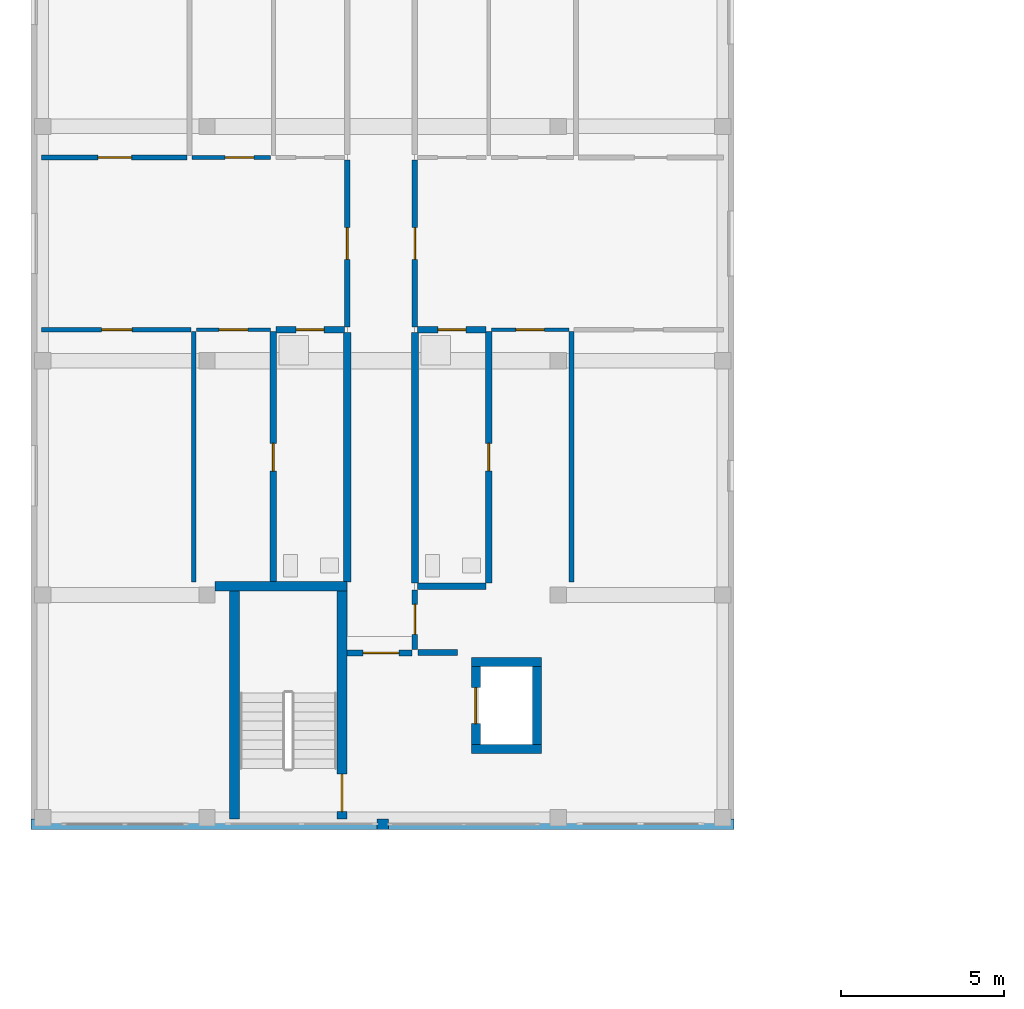
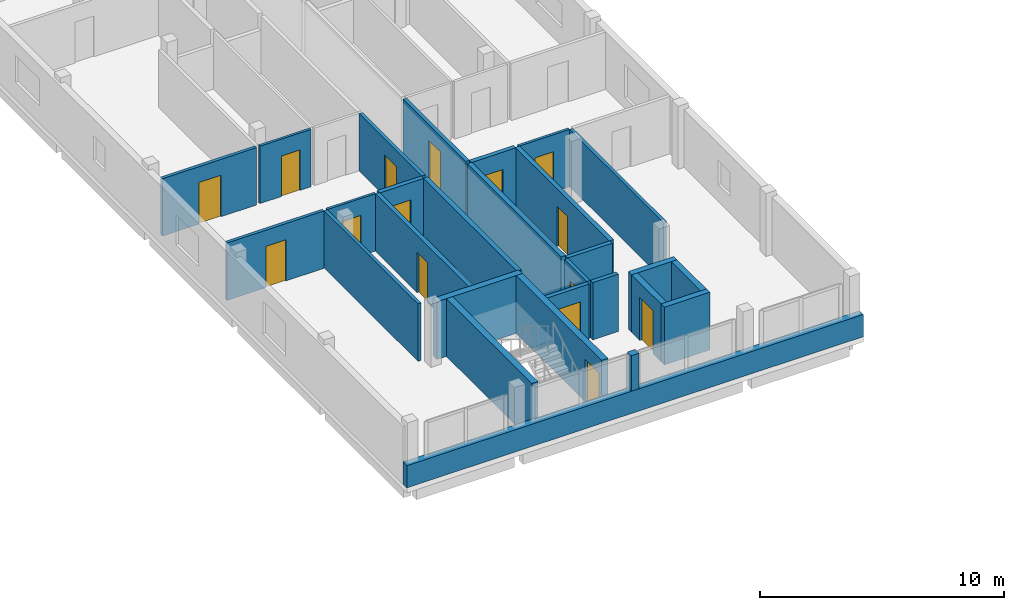
# One storey, part 11 of 28: 28 walls, 15 doors, 15 openings.
"""IFC4 building model written with IfcOpenShell, lengths in metres."""

from ifc_helpers import new_model, si_unit, derived_unit, direction, frame, frame_2d, origin, place, context, subcontext, project, spatial, rectangle, extrude, material, layer, layer_set, type_object, element, fill, save


model = new_model("IFC4")

# Units and contexts
model_context = context("Model", 3, precision=1e-05, world=origin(), true_north=direction((0.0, 1.0)))
body_context = subcontext(model_context, "Body", "Model", "MODEL_VIEW")
ifc_project = project(units=[si_unit("LENGTHUNIT", "METRE"), si_unit("AREAUNIT", "SQUARE_METRE"), si_unit("VOLUMEUNIT", "CUBIC_METRE"), si_unit("PLANEANGLEUNIT", "RADIAN"), si_unit("MASSUNIT", "GRAM", prefix="KILO"), derived_unit("THERMALTRANSMITTANCEUNIT", [(si_unit("MASSUNIT", "GRAM", prefix="KILO"), 1), (si_unit("TIMEUNIT", "SECOND"), -3), (si_unit("THERMODYNAMICTEMPERATUREUNIT", "KELVIN"), -1)])], contexts=[model_context])

# Site, building, storey
site_placement = place(None, origin())
site = spatial("IfcSite", under=ifc_project, at=site_placement, CompositionType="ELEMENT")
building_placement = place(site_placement, origin())
building = spatial("IfcBuilding", under=site, at=building_placement, Name="Ochrekiln Boulevard Commons", CompositionType="ELEMENT")
storey_placement = place(building_placement, frame((0.0, 0.0, 34.125)))
storey = spatial("IfcBuildingStorey", under=building, at=storey_placement, Name="L10", CompositionType="ELEMENT", Elevation=34.125)

# Walls
ifc_material_1 = material(Name="Desert ochre clinker brick masonry ASTM C216 Grade SW", Category="masonry")
ifc_layer_1 = layer(ifc_material_1, 0.320068359375)
ifc_layer_set_1 = layer_set([ifc_layer_1], Name="Desert ochre clinker brick masonry ASTM C216 Grade SW")
wall_type_1 = type_object("IfcWallType", Name="WL-EXT-OCHRE-320", PredefinedType="SOLIDWALL", material=ifc_layer_set_1)
wall_1_placement = place(storey_placement, frame((0.0, 68.56005859375, 0.0), z_axis=(0.0, 0.0, 1.0), x_axis=(1.0, 0.0, 0.0)))
element("IfcWall", 1, at=wall_1_placement, inside=storey, type_object=wall_type_1, Name="Block A L10 Courtyard Gable Sill Wall", PredefinedType="SOLIDWALL", context=body_context, shape_type="SweptSolid", body=[
    extrude(rectangle(XDim=21.60009765625, YDim=0.320068359375, at=frame_2d((10.800048828125, 0.0))), origin(), (0.0, 0.0, 1.0), 1.110107421875),
])
wall_2_placement = place(storey_placement, frame((10.6201171875, 68.56005859375, 1.110107421875), z_axis=(0.0, 0.0, 1.0), x_axis=(1.0, 0.0, 0.0)))
element("IfcWall", 2, at=wall_2_placement, inside=storey, type_object=wall_type_1, Name="Block A L10 Courtyard Gable Mullion Pier", PredefinedType="SOLIDWALL", context=body_context, shape_type="SweptSolid", body=[
    extrude(rectangle(XDim=0.35986328125, YDim=0.320068359375, at=frame_2d((0.179931640625, 0.0))), origin(), (0.0, 0.0, 1.0), 1.77978515625),
])
ifc_material_2 = material(Name="Moisture-resistant cementitious tile backer wall")
ifc_layer_2 = layer(ifc_material_2, 0.199951171875)
ifc_layer_set_2 = layer_set([ifc_layer_2], Name="Moisture-resistant cementitious tile backer wall")
wall_type_2 = type_object("IfcWallType", Name="WL-PLM-200", PredefinedType="PLUMBINGWALL", material=ifc_layer_set_2)
wall_3_placement = place(storey_placement, frame((11.8720703125, 75.875, 0.0), z_axis=(0.0, 0.0, 1.0), x_axis=(1.0, 0.0, 0.0)))
element("IfcWall", 3, at=wall_3_placement, inside=storey, type_object=wall_type_2, Name="L10 Interior Wall W-PW200", PredefinedType="PLUMBINGWALL", context=body_context, shape_type="SweptSolid", body=[
    extrude(rectangle(XDim=2.10791015625, YDim=0.199951171875, at=frame_2d((1.053955078125, 0.0))), origin(), (0.0, 0.0, 1.0), 2.8701171875),
])

# Wall, opening, door
wall_4_placement = place(storey_placement, frame((7.52001953125, 83.75, 0.0), z_axis=(0.0, 0.0, 1.0), x_axis=(1.0, 0.0, 0.0)))
wall_4 = element("IfcWall", 4, at=wall_4_placement, inside=storey, type_object=wall_type_2, Name="L10 Interior Wall W-PW200", PredefinedType="PLUMBINGWALL", context=body_context, shape_type="SweptSolid", body=[
    extrude(rectangle(XDim=2.10791015625, YDim=0.199951171875, at=frame_2d((1.053955078125, 0.0))), origin(), (0.0, 0.0, 1.0), 2.8701171875),
])
opening_1_placement = place(wall_4_placement, frame((0.6201171875, 0.0, 0.0)))
opening_1 = element("IfcOpeningElement", 5, at=opening_1_placement, cuts=wall_4, Name="Opening D-L10-1173", PredefinedType="OPENING", context=body_context, shape_type="SweptSolid", body=[
    extrude(rectangle(XDim=0.860107421875, YDim=2.0, at=frame_2d((0.43017578125, 1.0))), frame((0.0, 0.10986328125, 0.0), z_axis=(0.0, -1.0, 0.0), x_axis=(1.0, 0.0, 0.0)), (0.0, 0.0, 1.0), 0.219970703125),
])
ifc_material_3 = material(Name="Solid core architectural oak door leaf")
door_type_1 = type_object("IfcDoorType", Name="DR-INT-BTH-086", OperationType="NOTDEFINED", PredefinedType="DOOR", material=ifc_material_3)
door_1_placement = place(opening_1_placement, frame((0.860107421875, 0.0, 0.0), z_axis=(0.0, 0.0, 1.0), x_axis=(-1.0, 0.0, 0.0)))
door_1 = element("IfcDoor", 6, at=door_1_placement, inside=storey, type_object=door_type_1, Name="L10 Interior Door to Accessible Apartment Bathroom", OperationType="SINGLE_SWING_LEFT", OverallHeight=2.0, OverallWidth=0.860107421875, PredefinedType="DOOR", context=body_context, shape_type="SweptSolid", body=[
    extrude(rectangle(XDim=0.860107421875, YDim=2.0, at=frame_2d((0.43017578125, 1.0))), frame((0.0, 0.02490234375, 0.0), z_axis=(0.0, -1.0, 0.0), x_axis=(1.0, 0.0, 0.0)), (0.0, 0.0, 1.0), 0.050048828125),
])
fill(opening_1, door_1)

wall_5_placement = place(storey_placement, frame((7.43994140625, 76.0, 0.0), z_axis=(0.0, 0.0, 1.0), x_axis=(0.0, 1.0, 0.0)))
wall_5 = element("IfcWall", 7, at=wall_5_placement, inside=storey, type_object=wall_type_2, Name="L10 Interior Wall W-PW200", PredefinedType="PLUMBINGWALL", context=body_context, shape_type="SweptSolid", body=[
    extrude(rectangle(XDim=7.68994140625, YDim=0.199951171875, at=frame_2d((3.844970703125, 0.0))), origin(), (0.0, 0.0, 1.0), 2.8701171875),
])
opening_2_placement = place(wall_5_placement, frame((3.409912109375, 0.0, 0.0)))
opening_2 = element("IfcOpeningElement", 8, at=opening_2_placement, cuts=wall_5, Name="Opening D-L10-1179", PredefinedType="OPENING", context=body_context, shape_type="SweptSolid", body=[
    extrude(rectangle(XDim=0.85009765625, YDim=2.010009765625, at=frame_2d((0.425048828125, 1.0048828125))), frame((0.0, 0.10986328125, 0.0), z_axis=(0.0, -1.0, 0.0), x_axis=(1.0, 0.0, 0.0)), (0.0, 0.0, 1.0), 0.219970703125),
])
door_type_2 = type_object("IfcDoorType", Name="DR-INT-KIT-085", OperationType="NOTDEFINED", PredefinedType="DOOR", material=ifc_material_3)
door_2_placement = place(opening_2_placement, frame((0.85009765625, 0.0, 0.0), z_axis=(0.0, 0.0, 1.0), x_axis=(-1.0, 0.0, 0.0)))
door_2 = element("IfcDoor", 9, at=door_2_placement, inside=storey, type_object=door_type_2, Name="L10 Interior Door to Accessible Apartment Bathroom", OperationType="SINGLE_SWING_LEFT", OverallHeight=2.010009765625, OverallWidth=0.85009765625, PredefinedType="DOOR", context=body_context, shape_type="SweptSolid", body=[
    extrude(rectangle(XDim=0.85009765625, YDim=2.010009765625, at=frame_2d((0.425048828125, 1.0048828125))), frame((0.0, 0.02490234375, 0.0), z_axis=(0.0, -1.0, 0.0), x_axis=(1.0, 0.0, 0.0)), (0.0, 0.0, 1.0), 0.050048828125),
])
fill(opening_2, door_2)

wall_6_placement = place(storey_placement, frame((11.8720703125, 83.75, 0.0), z_axis=(0.0, 0.0, 1.0), x_axis=(1.0, 0.0, 0.0)))
wall_6 = element("IfcWall", 10, at=wall_6_placement, inside=storey, type_object=wall_type_2, Name="L10 Interior Wall W-PW200", PredefinedType="PLUMBINGWALL", context=body_context, shape_type="SweptSolid", body=[
    extrude(rectangle(XDim=2.10791015625, YDim=0.199951171875, at=frame_2d((1.053955078125, 0.0))), origin(), (0.0, 0.0, 1.0), 2.8701171875),
])
opening_3_placement = place(wall_6_placement, frame((0.6279296875, 0.0, 0.0)))
opening_3 = element("IfcOpeningElement", 11, at=opening_3_placement, cuts=wall_6, Name="Opening D-L10-1184", PredefinedType="OPENING", context=body_context, shape_type="SweptSolid", body=[
    extrude(rectangle(XDim=0.860107421875, YDim=2.0, at=frame_2d((0.43017578125, 1.0))), frame((0.0, 0.10986328125, 0.0), z_axis=(0.0, -1.0, 0.0), x_axis=(1.0, 0.0, 0.0)), (0.0, 0.0, 1.0), 0.219970703125),
])
door_3_placement = place(opening_3_placement, frame((0.860107421875, 0.0, 0.0), z_axis=(0.0, 0.0, 1.0), x_axis=(-1.0, 0.0, 0.0)))
door_3 = element("IfcDoor", 12, at=door_3_placement, inside=storey, type_object=door_type_1, Name="L10 Interior Door to Apartment Bathroom", OperationType="SINGLE_SWING_RIGHT", OverallHeight=2.0, OverallWidth=0.860107421875, PredefinedType="DOOR", context=body_context, shape_type="SweptSolid", body=[
    extrude(rectangle(XDim=0.860107421875, YDim=2.0, at=frame_2d((0.43017578125, 1.0))), frame((0.0, 0.02490234375, 0.0), z_axis=(0.0, -1.0, 0.0), x_axis=(1.0, 0.0, 0.0)), (0.0, 0.0, 1.0), 0.050048828125),
])
fill(opening_3, door_3)

wall_7_placement = place(storey_placement, frame((14.06005859375, 75.97509765625, 0.0), z_axis=(0.0, 0.0, 1.0), x_axis=(0.0, 1.0, 0.0)))
wall_7 = element("IfcWall", 13, at=wall_7_placement, inside=storey, type_object=wall_type_2, Name="L10 Interior Wall W-PW200", PredefinedType="PLUMBINGWALL", context=body_context, shape_type="SweptSolid", body=[
    extrude(rectangle(XDim=7.71484375, YDim=0.199951171875, at=frame_2d((3.857421875, 0.0))), origin(), (0.0, 0.0, 1.0), 2.8701171875),
])
opening_4_placement = place(wall_7_placement, frame((3.43505859375, 0.0, 0.0)))
opening_4 = element("IfcOpeningElement", 14, at=opening_4_placement, cuts=wall_7, Name="Opening D-L10-1190", PredefinedType="OPENING", context=body_context, shape_type="SweptSolid", body=[
    extrude(rectangle(XDim=0.85009765625, YDim=2.010009765625, at=frame_2d((0.425048828125, 1.0048828125))), frame((0.0, 0.10986328125, 0.0), z_axis=(0.0, -1.0, 0.0), x_axis=(1.0, 0.0, 0.0)), (0.0, 0.0, 1.0), 0.219970703125),
])
door_4_placement = place(opening_4_placement, origin())
door_4 = element("IfcDoor", 15, at=door_4_placement, inside=storey, type_object=door_type_2, Name="L10 Interior Door to Apartment Bathroom", OperationType="SINGLE_SWING_RIGHT", OverallHeight=2.010009765625, OverallWidth=0.85009765625, PredefinedType="DOOR", context=body_context, shape_type="SweptSolid", body=[
    extrude(rectangle(XDim=0.85009765625, YDim=2.010009765625, at=frame_2d((0.425048828125, 1.0048828125))), frame((0.0, 0.02490234375, 0.0), z_axis=(0.0, -1.0, 0.0), x_axis=(1.0, 0.0, 0.0)), (0.0, 0.0, 1.0), 0.050048828125),
])
fill(opening_4, door_4)

# Walls
ifc_layer_3 = layer(ifc_material_2, 0.219970703125)
ifc_layer_set_3 = layer_set([ifc_layer_3], Name="Moisture-resistant cementitious tile backer wall")
wall_type_3 = type_object("IfcWallType", Name="WL-PLM-220", PredefinedType="PLUMBINGWALL", material=ifc_layer_set_3)
wall_8_placement = place(storey_placement, frame((9.7099609375, 76.0, 0.0), z_axis=(0.0, 0.0, 1.0), x_axis=(0.0, 1.0, 0.0)))
element("IfcWall", 16, at=wall_8_placement, inside=storey, type_object=wall_type_3, Name="L10 Interior Wall W-PW220", PredefinedType="PLUMBINGWALL", context=body_context, shape_type="SweptSolid", body=[
    extrude(rectangle(XDim=7.669921875, YDim=0.219970703125, at=frame_2d((3.8349609375, 0.0))), origin(), (0.0, 0.0, 1.0), 2.8701171875),
])
wall_9_placement = place(storey_placement, frame((11.7900390625, 75.97509765625, 0.0), z_axis=(0.0, 0.0, 1.0), x_axis=(0.0, 1.0, 0.0)))
element("IfcWall", 17, at=wall_9_placement, inside=storey, type_object=wall_type_3, Name="L10 Interior Wall W-PW220", PredefinedType="PLUMBINGWALL", context=body_context, shape_type="SweptSolid", body=[
    extrude(rectangle(XDim=7.69482421875, YDim=0.219970703125, at=frame_2d((3.847412109375, 0.0))), origin(), (0.0, 0.0, 1.0), 2.8701171875),
])

# Wall, opening, door
ifc_material_4 = material(Name="Fire-rated Type X gypsum board on steel studs", Category="steel")
ifc_layer_4 = layer(ifc_material_4, 0.1650390625)
ifc_layer_set_4 = layer_set([ifc_layer_4], Name="Fire-rated Type X gypsum board on steel studs")
wall_type_4 = type_object("IfcWallType", Name="WL-PT-CORR-165", PredefinedType="PARTITIONING", material=ifc_layer_set_4)
wall_10_placement = place(storey_placement, frame((11.7900390625, 73.929931640625, 0.0), z_axis=(0.0, 0.0, 1.0), x_axis=(0.0, 1.0, 0.0)))
wall_10 = element("IfcWall", 18, at=wall_10_placement, inside=storey, type_object=wall_type_4, Name="L10 Interior Wall W-PC165", PredefinedType="PARTITIONING", context=body_context, shape_type="SweptSolid", body=[
    extrude(rectangle(XDim=1.820068359375, YDim=0.1650390625, at=frame_2d((0.91015625, 0.0))), origin(), (0.0, 0.0, 1.0), 2.8701171875),
])
opening_5_placement = place(wall_10_placement, frame((0.4599609375, 0.0, 0.0)))
opening_5 = element("IfcOpeningElement", 19, at=opening_5_placement, cuts=wall_10, Name="Opening D-L10-1168", PredefinedType="OPENING", context=body_context, shape_type="SweptSolid", body=[
    extrude(rectangle(XDim=0.919921875, YDim=2.0400390625, at=frame_2d((0.4599609375, 1.02001953125))), frame((0.0, 0.092529296875, 0.0), z_axis=(0.0, -1.0, 0.0), x_axis=(1.0, 0.0, 0.0)), (0.0, 0.0, 1.0), 0.18505859375),
])
ifc_material_5 = material(Name="Hollow metal fire-rated steel door assembly", Category="steel")
door_type_3 = type_object("IfcDoorType", Name="DR-SRV-90", OperationType="NOTDEFINED", PredefinedType="DOOR", material=ifc_material_5)
door_5_placement = place(opening_5_placement, frame((0.919921875, 0.0, 0.0), z_axis=(0.0, 0.0, 1.0), x_axis=(-1.0, 0.0, 0.0)))
door_5 = element("IfcDoor", 20, at=door_5_placement, inside=storey, type_object=door_type_3, Name="L10 Interior Door to Hydronic and Electrical Riser Room", OperationType="SINGLE_SWING_RIGHT", OverallHeight=2.0400390625, OverallWidth=0.919921875, PredefinedType="DOOR", context=body_context, shape_type="SweptSolid", body=[
    extrude(rectangle(XDim=0.919921875, YDim=2.0400390625, at=frame_2d((0.4599609375, 1.02001953125))), frame((0.0, 0.02490234375, 0.0), z_axis=(0.0, -1.0, 0.0), x_axis=(1.0, 0.0, 0.0)), (0.0, 0.0, 1.0), 0.050048828125),
])
fill(opening_5, door_5)

wall_11_placement = place(storey_placement, frame((9.7099609375, 83.830078125, 0.0), z_axis=(0.0, 0.0, 1.0), x_axis=(0.0, 1.0, 0.0)))
wall_11 = element("IfcWall", 21, at=wall_11_placement, inside=storey, type_object=wall_type_4, Name="L10 Interior Wall W-PC165", PredefinedType="PARTITIONING", context=body_context, shape_type="SweptSolid", body=[
    extrude(rectangle(XDim=5.139892578125, YDim=0.1650390625, at=frame_2d((2.56982421875, 0.0))), origin(), (0.0, 0.0, 1.0), 2.8701171875),
])
opening_6_placement = place(wall_11_placement, frame((2.080078125, 0.0, 0.0)))
opening_6 = element("IfcOpeningElement", 22, at=opening_6_placement, cuts=wall_11, Name="Opening D-L10-1169", PredefinedType="OPENING", context=body_context, shape_type="SweptSolid", body=[
    extrude(rectangle(XDim=0.97998046875, YDim=2.080078125, at=frame_2d((0.489990234375, 1.0400390625))), frame((0.0, 0.092529296875, 0.0), z_axis=(0.0, -1.0, 0.0), x_axis=(1.0, 0.0, 0.0)), (0.0, 0.0, 1.0), 0.18505859375),
])
door_type_4 = type_object("IfcDoorType", Name="DR-APT-60", OperationType="NOTDEFINED", PredefinedType="DOOR", material=ifc_material_3)
door_6_placement = place(opening_6_placement, origin())
door_6 = element("IfcDoor", 23, at=door_6_placement, inside=storey, type_object=door_type_4, Name="L10 Interior Door to Two-Bedroom Apartment Living Room", OperationType="SINGLE_SWING_LEFT", OverallHeight=2.080078125, OverallWidth=0.97998046875, PredefinedType="DOOR", context=body_context, shape_type="SweptSolid", body=[
    extrude(rectangle(XDim=0.97998046875, YDim=2.080078125, at=frame_2d((0.489990234375, 1.0400390625))), frame((0.0, 0.02490234375, 0.0), z_axis=(0.0, -1.0, 0.0), x_axis=(1.0, 0.0, 0.0)), (0.0, 0.0, 1.0), 0.050048828125),
])
fill(opening_6, door_6)

wall_12_placement = place(storey_placement, frame((11.7900390625, 83.830078125, 0.0), z_axis=(0.0, 0.0, 1.0), x_axis=(0.0, 1.0, 0.0)))
wall_12 = element("IfcWall", 24, at=wall_12_placement, inside=storey, type_object=wall_type_4, Name="L10 Interior Wall W-PC165", PredefinedType="PARTITIONING", context=body_context, shape_type="SweptSolid", body=[
    extrude(rectangle(XDim=5.139892578125, YDim=0.1650390625, at=frame_2d((2.56982421875, 0.0))), origin(), (0.0, 0.0, 1.0), 2.8701171875),
])
opening_7_placement = place(wall_12_placement, frame((2.080078125, 0.0, 0.0)))
opening_7 = element("IfcOpeningElement", 25, at=opening_7_placement, cuts=wall_12, Name="Opening D-L10-1171", PredefinedType="OPENING", context=body_context, shape_type="SweptSolid", body=[
    extrude(rectangle(XDim=0.97998046875, YDim=2.080078125, at=frame_2d((0.489990234375, 1.0400390625))), frame((0.0, 0.092529296875, 0.0), z_axis=(0.0, -1.0, 0.0), x_axis=(1.0, 0.0, 0.0)), (0.0, 0.0, 1.0), 0.18505859375),
])
door_7_placement = place(opening_7_placement, frame((0.97998046875, 0.0, 0.0), z_axis=(0.0, 0.0, 1.0), x_axis=(-1.0, 0.0, 0.0)))
door_7 = element("IfcDoor", 26, at=door_7_placement, inside=storey, type_object=door_type_4, Name="L10 Interior Door to Two-Bedroom Apartment Living Room", OperationType="SINGLE_SWING_LEFT", OverallHeight=2.080078125, OverallWidth=0.97998046875, PredefinedType="DOOR", context=body_context, shape_type="SweptSolid", body=[
    extrude(rectangle(XDim=0.97998046875, YDim=2.080078125, at=frame_2d((0.489990234375, 1.0400390625))), frame((0.0, 0.02490234375, 0.0), z_axis=(0.0, -1.0, 0.0), x_axis=(1.0, 0.0, 0.0)), (0.0, 0.0, 1.0), 0.050048828125),
])
fill(opening_7, door_7)

# Wall
ifc_layer_5 = layer(ifc_material_4, 0.18994140625)
ifc_layer_set_5 = layer_set([ifc_layer_5], Name="Fire-rated Type X gypsum board on steel studs")
wall_type_5 = type_object("IfcWallType", Name="WL-PT-LBY-190", PredefinedType="PARTITIONING", material=ifc_layer_set_5)
wall_13_placement = place(storey_placement, frame((11.8798828125, 73.8349609375, 0.0), z_axis=(0.0, 0.0, 1.0), x_axis=(1.0, 0.0, 0.0)))
element("IfcWall", 27, at=wall_13_placement, inside=storey, type_object=wall_type_5, Name="L10 Interior Wall W-PL190", PredefinedType="PARTITIONING", context=body_context, shape_type="SweptSolid", body=[
    extrude(rectangle(XDim=1.22021484375, YDim=0.18994140625, at=frame_2d((0.610107421875, 0.0))), origin(), (0.0, 0.0, 1.0), 2.8701171875),
])

# Wall, opening, door
wall_14_placement = place(storey_placement, frame((9.699951171875, 73.820068359375, 0.0), z_axis=(0.0, 0.0, 1.0), x_axis=(1.0, 0.0, 0.0)))
wall_14 = element("IfcWall", 28, at=wall_14_placement, inside=storey, type_object=wall_type_5, Name="L10 Interior Wall W-PL190", PredefinedType="PARTITIONING", context=body_context, shape_type="SweptSolid", body=[
    extrude(rectangle(XDim=2.0, YDim=0.18994140625, at=frame_2d((1.0, 0.0))), origin(), (0.0, 0.0, 1.0), 2.8701171875),
])
opening_8_placement = place(wall_14_placement, frame((0.5, 0.0, 0.0)))
opening_8 = element("IfcOpeningElement", 29, at=opening_8_placement, cuts=wall_14, Name="Opening D-L10-1166", PredefinedType="OPENING", context=body_context, shape_type="SweptSolid", body=[
    extrude(rectangle(XDim=1.10009765625, YDim=2.1201171875, at=frame_2d((0.550048828125, 1.06005859375))), frame((0.0, 0.10498046875, 0.0), z_axis=(0.0, -1.0, 0.0), x_axis=(1.0, 0.0, 0.0)), (0.0, 0.0, 1.0), 0.2099609375),
])
door_type_5 = type_object("IfcDoorType", Name="DR-LOBBY-60", OperationType="NOTDEFINED", PredefinedType="DOOR", material=ifc_material_5)
door_8_placement = place(opening_8_placement, frame((1.10009765625, 0.0, 0.0), z_axis=(0.0, 0.0, 1.0), x_axis=(-1.0, 0.0, 0.0)))
door_8 = element("IfcDoor", 30, at=door_8_placement, inside=storey, type_object=door_type_5, Name="L10 Interior Door to Fire Service Access Elevator Lobby", OperationType="SINGLE_SWING_RIGHT", OverallHeight=2.1201171875, OverallWidth=1.10009765625, PredefinedType="DOOR", context=body_context, shape_type="SweptSolid", body=[
    extrude(rectangle(XDim=1.10009765625, YDim=2.1201171875, at=frame_2d((0.550048828125, 1.06005859375))), frame((0.0, 0.02490234375, 0.0), z_axis=(0.0, -1.0, 0.0), x_axis=(1.0, 0.0, 0.0)), (0.0, 0.0, 1.0), 0.050048828125),
])
fill(opening_8, door_8)

ifc_layer_6 = layer(ifc_material_4, 0.1201171875)
ifc_layer_set_6 = layer_set([ifc_layer_6], Name="Fire-rated Type X gypsum board on steel studs")
wall_type_6 = type_object("IfcWallType", Name="WL-PT-LGT-120", PredefinedType="PARTITIONING", material=ifc_layer_set_6)
wall_15_placement = place(storey_placement, frame((5.072998046875, 83.75, 0.0), z_axis=(0.0, 0.0, 1.0), x_axis=(1.0, 0.0, 0.0)))
wall_15 = element("IfcWall", 31, at=wall_15_placement, inside=storey, type_object=wall_type_6, Name="L10 Interior Wall W-PL120", PredefinedType="PARTITIONING", context=body_context, shape_type="SweptSolid", body=[
    extrude(rectangle(XDim=2.287109375, YDim=0.1201171875, at=frame_2d((1.1435546875, 0.0))), origin(), (0.0, 0.0, 1.0), 2.8701171875),
])
opening_9_placement = place(wall_15_placement, frame((0.702880859375, 0.0, 0.0)))
opening_9 = element("IfcOpeningElement", 32, at=opening_9_placement, cuts=wall_15, Name="Opening D-L10-1176", PredefinedType="OPENING", context=body_context, shape_type="SweptSolid", body=[
    extrude(rectangle(XDim=0.8798828125, YDim=2.02001953125, at=frame_2d((0.43994140625, 1.010009765625))), frame((0.0, 0.070068359375, 0.0), z_axis=(0.0, -1.0, 0.0), x_axis=(1.0, 0.0, 0.0)), (0.0, 0.0, 1.0), 0.14013671875),
])
door_type_6 = type_object("IfcDoorType", Name="DR-INT-KIT-088", OperationType="NOTDEFINED", PredefinedType="DOOR", material=ifc_material_3)
door_9_placement = place(opening_9_placement, frame((0.8798828125, 0.0, 0.0), z_axis=(0.0, 0.0, 1.0), x_axis=(-1.0, 0.0, 0.0)))
door_9 = element("IfcDoor", 33, at=door_9_placement, inside=storey, type_object=door_type_6, Name="L10 Interior Door to Apartment Walk-In Wardrobe", OperationType="SINGLE_SWING_RIGHT", OverallHeight=2.02001953125, OverallWidth=0.8798828125, PredefinedType="DOOR", context=body_context, shape_type="SweptSolid", body=[
    extrude(rectangle(XDim=0.8798828125, YDim=2.02001953125, at=frame_2d((0.43994140625, 1.010009765625))), frame((0.0, 0.02490234375, 0.0), z_axis=(0.0, -1.0, 0.0), x_axis=(1.0, 0.0, 0.0)), (0.0, 0.0, 1.0), 0.050048828125),
])
fill(opening_9, door_9)

wall_16_placement = place(storey_placement, frame((4.93994140625, 89.050048828125, 0.0), z_axis=(0.0, 0.0, 1.0), x_axis=(1.0, 0.0, 0.0)))
wall_16 = element("IfcWall", 34, at=wall_16_placement, inside=storey, type_object=wall_type_6, Name="L10 Interior Wall W-PL120", PredefinedType="PARTITIONING", context=body_context, shape_type="SweptSolid", body=[
    extrude(rectangle(XDim=2.420166015625, YDim=0.1201171875, at=frame_2d((1.2099609375, 0.0))), origin(), (0.0, 0.0, 1.0), 2.8701171875),
])
opening_10_placement = place(wall_16_placement, frame((1.02001953125, 0.0, 0.0)))
opening_10 = element("IfcOpeningElement", 35, at=opening_10_placement, cuts=wall_16, Name="Opening D-L10-1178", PredefinedType="OPENING", context=body_context, shape_type="SweptSolid", body=[
    extrude(rectangle(XDim=0.8798828125, YDim=2.02001953125, at=frame_2d((0.43994140625, 1.010009765625))), frame((0.0, 0.070068359375, 0.0), z_axis=(0.0, -1.0, 0.0), x_axis=(1.0, 0.0, 0.0)), (0.0, 0.0, 1.0), 0.14013671875),
])
door_10_placement = place(opening_10_placement, origin())
door_10 = element("IfcDoor", 36, at=door_10_placement, inside=storey, type_object=door_type_6, Name="L10 Interior Door to Apartment Walk-In Wardrobe", OperationType="SINGLE_SWING_RIGHT", OverallHeight=2.02001953125, OverallWidth=0.8798828125, PredefinedType="DOOR", context=body_context, shape_type="SweptSolid", body=[
    extrude(rectangle(XDim=0.8798828125, YDim=2.02001953125, at=frame_2d((0.43994140625, 1.010009765625))), frame((0.0, 0.02490234375, 0.0), z_axis=(0.0, -1.0, 0.0), x_axis=(1.0, 0.0, 0.0)), (0.0, 0.0, 1.0), 0.050048828125),
])
fill(opening_10, door_10)

wall_17_placement = place(storey_placement, frame((14.139892578125, 83.75, 0.0), z_axis=(0.0, 0.0, 1.0), x_axis=(1.0, 0.0, 0.0)))
wall_17 = element("IfcWall", 37, at=wall_17_placement, inside=storey, type_object=wall_type_6, Name="L10 Interior Wall W-PL120", PredefinedType="PARTITIONING", context=body_context, shape_type="SweptSolid", body=[
    extrude(rectangle(XDim=2.38720703125, YDim=0.1201171875, at=frame_2d((1.193603515625, 0.0))), origin(), (0.0, 0.0, 1.0), 2.8701171875),
])
opening_11_placement = place(wall_17_placement, frame((0.75390625, 0.0, 0.0)))
opening_11 = element("IfcOpeningElement", 38, at=opening_11_placement, cuts=wall_17, Name="Opening D-L10-1187", PredefinedType="OPENING", context=body_context, shape_type="SweptSolid", body=[
    extrude(rectangle(XDim=0.8798828125, YDim=2.02001953125, at=frame_2d((0.43994140625, 1.010009765625))), frame((0.0, 0.070068359375, 0.0), z_axis=(0.0, -1.0, 0.0), x_axis=(1.0, 0.0, 0.0)), (0.0, 0.0, 1.0), 0.14013671875),
])
door_11_placement = place(opening_11_placement, frame((0.8798828125, 0.0, 0.0), z_axis=(0.0, 0.0, 1.0), x_axis=(-1.0, 0.0, 0.0)))
door_11 = element("IfcDoor", 39, at=door_11_placement, inside=storey, type_object=door_type_6, Name="L10 Interior Door to Apartment Walk-In Wardrobe", OperationType="SINGLE_SWING_LEFT", OverallHeight=2.02001953125, OverallWidth=0.8798828125, PredefinedType="DOOR", context=body_context, shape_type="SweptSolid", body=[
    extrude(rectangle(XDim=0.8798828125, YDim=2.02001953125, at=frame_2d((0.43994140625, 1.010009765625))), frame((0.0, 0.02490234375, 0.0), z_axis=(0.0, -1.0, 0.0), x_axis=(1.0, 0.0, 0.0)), (0.0, 0.0, 1.0), 0.050048828125),
])
fill(opening_11, door_11)

ifc_layer_7 = layer(ifc_material_4, 0.14990234375)
ifc_layer_set_7 = layer_set([ifc_layer_7], Name="Fire-rated Type X gypsum board on steel studs")
wall_type_7 = type_object("IfcWallType", Name="WL-PT-STD-150", PredefinedType="PARTITIONING", material=ifc_layer_set_7)
wall_18_placement = place(storey_placement, frame((0.320068359375, 83.75, 0.0), z_axis=(0.0, 0.0, 1.0), x_axis=(1.0, 0.0, 0.0)))
wall_18 = element("IfcWall", 40, at=wall_18_placement, inside=storey, type_object=wall_type_7, Name="L10 Interior Wall W-PS150", PredefinedType="PARTITIONING", context=body_context, shape_type="SweptSolid", body=[
    extrude(rectangle(XDim=4.593017578125, YDim=0.14990234375, at=frame_2d((2.29638671875, 0.0))), origin(), (0.0, 0.0, 1.0), 2.8701171875),
])
opening_12_placement = place(wall_18_placement, frame((1.842041015625, 0.0, 0.0)))
opening_12 = element("IfcOpeningElement", 41, at=opening_12_placement, cuts=wall_18, Name="Opening D-L10-1175", PredefinedType="OPENING", context=body_context, shape_type="SweptSolid", body=[
    extrude(rectangle(XDim=0.93994140625, YDim=2.06005859375, at=frame_2d((0.469970703125, 1.030029296875))), frame((0.0, 0.0849609375, 0.0), z_axis=(0.0, -1.0, 0.0), x_axis=(1.0, 0.0, 0.0)), (0.0, 0.0, 1.0), 0.169921875),
])
door_type_7 = type_object("IfcDoorType", Name="DR-INT-BED-094", OperationType="NOTDEFINED", PredefinedType="DOOR", material=ifc_material_3)
door_12_placement = place(opening_12_placement, frame((0.93994140625, 0.0, 0.0), z_axis=(0.0, 0.0, 1.0), x_axis=(-1.0, 0.0, 0.0)))
door_12 = element("IfcDoor", 42, at=door_12_placement, inside=storey, type_object=door_type_7, Name="L10 Interior Door to Primary Apartment Bedroom", OperationType="SINGLE_SWING_LEFT", OverallHeight=2.06005859375, OverallWidth=0.93994140625, PredefinedType="DOOR", context=body_context, shape_type="SweptSolid", body=[
    extrude(rectangle(XDim=0.93994140625, YDim=2.06005859375, at=frame_2d((0.469970703125, 1.030029296875))), frame((0.0, 0.02490234375, 0.0), z_axis=(0.0, -1.0, 0.0), x_axis=(1.0, 0.0, 0.0)), (0.0, 0.0, 1.0), 0.050048828125),
])
fill(opening_12, door_12)

wall_19_placement = place(storey_placement, frame((0.320068359375, 89.050048828125, 0.0), z_axis=(0.0, 0.0, 1.0), x_axis=(1.0, 0.0, 0.0)))
wall_19 = element("IfcWall", 43, at=wall_19_placement, inside=storey, type_object=wall_type_7, Name="L10 Interior Wall W-PS150", PredefinedType="PARTITIONING", context=body_context, shape_type="SweptSolid", body=[
    extrude(rectangle(XDim=4.4599609375, YDim=0.14990234375, at=frame_2d((2.22998046875, 0.0))), origin(), (0.0, 0.0, 1.0), 2.8701171875),
])
opening_13_placement = place(wall_19_placement, frame((1.72509765625, 0.0, 0.0)))
opening_13 = element("IfcOpeningElement", 44, at=opening_13_placement, cuts=wall_19, Name="Opening D-L10-1177", PredefinedType="OPENING", context=body_context, shape_type="SweptSolid", body=[
    extrude(rectangle(XDim=1.0400390625, YDim=2.080078125, at=frame_2d((0.52001953125, 1.0400390625))), frame((0.0, 0.0849609375, 0.0), z_axis=(0.0, -1.0, 0.0), x_axis=(1.0, 0.0, 0.0)), (0.0, 0.0, 1.0), 0.169921875),
])
door_type_8 = type_object("IfcDoorType", Name="DR-INT-BED-104", OperationType="NOTDEFINED", PredefinedType="DOOR", material=ifc_material_3)
door_13_placement = place(opening_13_placement, origin())
door_13 = element("IfcDoor", 45, at=door_13_placement, inside=storey, type_object=door_type_8, Name="L10 Interior Door to Secondary Apartment Bedroom", OperationType="SINGLE_SWING_LEFT", OverallHeight=2.080078125, OverallWidth=1.0400390625, PredefinedType="DOOR", context=body_context, shape_type="SweptSolid", body=[
    extrude(rectangle(XDim=1.0400390625, YDim=2.080078125, at=frame_2d((0.52001953125, 1.0400390625))), frame((0.0, 0.02490234375, 0.0), z_axis=(0.0, -1.0, 0.0), x_axis=(1.0, 0.0, 0.0)), (0.0, 0.0, 1.0), 0.050048828125),
])
fill(opening_13, door_13)

# Walls
for number, where, z_axis, x_axis, name in (
    (46, (4.992919921875, 76.0, 0.0), (0.0, 0.0, 1.0), (0.0, 1.0, 0.0), "L10 Interior Wall W-PS150"),
    (47, (16.60693359375, 76.0, 0.0), (0.0, 0.0, 1.0), (0.0, 1.0, 0.0), "L10 Interior Wall W-PS150"),
):
    element("IfcWall", number, at=place(storey_placement, frame(where, z_axis=z_axis, x_axis=x_axis)), inside=storey, type_object=wall_type_7, Name=name, PredefinedType="PARTITIONING", context=body_context, shape_type="SweptSolid", body=[
        extrude(rectangle(XDim=7.68994140625, YDim=0.14990234375, at=frame_2d((3.844970703125, 0.0))), origin(), (0.0, 0.0, 1.0), 2.8701171875),
    ])
ifc_material_6 = material(Name="Concrete C40/50", Category="concrete")
ifc_layer_8 = layer(ifc_material_6, 0.27490234375)
ifc_layer_set_8 = layer_set([ifc_layer_8], Name="Concrete C40/50")
wall_type_8 = type_object("IfcWallType", Name="WL-SH-275", PredefinedType="SHEAR", material=ifc_layer_set_8)
for number, where, z_axis, x_axis, name in (
    (48, (13.52490234375, 70.862548828125, 0.0), (0.0, 0.0, 1.0), (1.0, 0.0, 0.0), "Elevator FF-A1 L10 Hoistway Shear Wall"),
    (49, (13.52490234375, 73.53759765625, 0.0), (0.0, 0.0, 1.0), (1.0, 0.0, 0.0), "Elevator FF-A1 L10 Hoistway Shear Wall"),
):
    element("IfcWall", number, at=place(storey_placement, frame(where, z_axis=z_axis, x_axis=x_axis)), inside=storey, type_object=wall_type_8, Name=name, PredefinedType="SHEAR", context=body_context, shape_type="SweptSolid", body=[
        extrude(rectangle(XDim=2.150146484375, YDim=0.27490234375, at=frame_2d((1.0751953125, 0.0))), origin(), (0.0, 0.0, 1.0), 2.889892578125),
    ])

# Wall, opening, door
wall_20_placement = place(storey_placement, frame((13.66259765625, 71.0, 0.0), z_axis=(0.0, 0.0, 1.0), x_axis=(0.0, 1.0, 0.0)))
wall_20 = element("IfcWall", 50, at=wall_20_placement, inside=storey, type_object=wall_type_8, Name="Elevator FF-A1 L10 Hoistway Shear Wall", PredefinedType="SHEAR", context=body_context, shape_type="SweptSolid", body=[
    extrude(rectangle(XDim=2.39990234375, YDim=0.27490234375, at=frame_2d((1.199951171875, 0.0))), origin(), (0.0, 0.0, 1.0), 2.889892578125),
])
opening_14_placement = place(wall_20_placement, frame((0.64990234375, 0.0, 0.0)))
opening_14 = element("IfcOpeningElement", 51, at=opening_14_placement, cuts=wall_20, Name="Opening LD-FF-A1-L10", PredefinedType="OPENING", context=body_context, shape_type="SweptSolid", body=[
    extrude(rectangle(XDim=1.10009765625, YDim=2.14990234375, at=frame_2d((0.550048828125, 1.074951171875))), frame((0.0, 0.1474609375, 0.0), z_axis=(0.0, -1.0, 0.0), x_axis=(1.0, 0.0, 0.0)), (0.0, 0.0, 1.0), 0.294921875),
])
ifc_material_7 = material(Name="Brushed stainless steel 316 elevator cab and doors", Category="steel")
door_type_9 = type_object("IfcDoorType", Name="DR-LIFT-LD90", OperationType="SLIDING_TO_LEFT", PredefinedType="DOOR", material=ifc_material_7)
door_14_placement = place(opening_14_placement, origin())
door_14 = element("IfcDoor", 52, at=door_14_placement, inside=storey, type_object=door_type_9, Name="Elevator FF-A1 L10 Sliding Landing Door LD-FF-A1-L10", OperationType="SLIDING_TO_LEFT", OverallHeight=2.14990234375, OverallWidth=1.10009765625, PredefinedType="DOOR", context=body_context, shape_type="SweptSolid", body=[
    extrude(rectangle(XDim=1.10009765625, YDim=2.14990234375, at=frame_2d((0.550048828125, 1.074951171875))), frame((0.0, 0.02490234375, 0.0), z_axis=(0.0, -1.0, 0.0), x_axis=(1.0, 0.0, 0.0)), (0.0, 0.0, 1.0), 0.050048828125),
])
fill(opening_14, door_14)

# Walls
wall_21_placement = place(storey_placement, frame((15.53759765625, 71.0, 0.0), z_axis=(0.0, 0.0, 1.0), x_axis=(0.0, 1.0, 0.0)))
element("IfcWall", 53, at=wall_21_placement, inside=storey, type_object=wall_type_8, Name="Elevator FF-A1 L10 Hoistway Shear Wall", PredefinedType="SHEAR", context=body_context, shape_type="SweptSolid", body=[
    extrude(rectangle(XDim=2.39990234375, YDim=0.27490234375, at=frame_2d((1.199951171875, 0.0))), origin(), (0.0, 0.0, 1.0), 2.889892578125),
])
ifc_layer_9 = layer(ifc_material_6, 0.300048828125)
ifc_layer_set_9 = layer_set([ifc_layer_9], Name="Concrete C40/50")
wall_type_9 = type_object("IfcWallType", Name="WL-SH-300", PredefinedType="SHEAR", material=ifc_layer_set_9)
wall_22_placement = place(storey_placement, frame((5.64990234375, 75.8701171875, 0.0), z_axis=(0.0, 0.0, 1.0), x_axis=(1.0, 0.0, 0.0)))
element("IfcWall", 54, at=wall_22_placement, inside=storey, type_object=wall_type_9, Name="Stair ST-A1 L10 Core Shear Wall N", PredefinedType="SHEAR", context=body_context, shape_type="SweptSolid", body=[
    extrude(rectangle(XDim=4.050048828125, YDim=0.300048828125, at=frame_2d((2.02490234375, 0.0))), origin(), (0.0, 0.0, 1.0), 2.889892578125),
])
wall_23_placement = place(storey_placement, frame((6.25, 68.719970703125, 0.0), z_axis=(0.0, 0.0, 1.0), x_axis=(0.0, 1.0, 0.0)))
element("IfcWall", 55, at=wall_23_placement, inside=storey, type_object=wall_type_9, Name="Stair ST-A1 L10 Core Shear Wall W", PredefinedType="SHEAR", context=body_context, shape_type="SweptSolid", body=[
    extrude(rectangle(XDim=7.0, YDim=0.300048828125, at=frame_2d((3.5, 0.0))), origin(), (0.0, 0.0, 1.0), 2.889892578125),
])

# Wall, opening, door
wall_24_placement = place(storey_placement, frame((9.550048828125, 68.719970703125, 0.0), z_axis=(0.0, 0.0, 1.0), x_axis=(0.0, 1.0, 0.0)))
wall_24 = element("IfcWall", 56, at=wall_24_placement, inside=storey, type_object=wall_type_9, Name="Stair ST-A1 L10 Core Shear Wall E", PredefinedType="SHEAR", context=body_context, shape_type="SweptSolid", body=[
    extrude(rectangle(XDim=7.0, YDim=0.300048828125, at=frame_2d((3.5, 0.0))), origin(), (0.0, 0.0, 1.0), 2.889892578125),
])
opening_15_placement = place(wall_24_placement, frame((0.22509765625, 0.0, 0.0)))
opening_15 = element("IfcOpeningElement", 57, at=opening_15_placement, cuts=wall_24, Name="Opening D-L10-ST-A1", PredefinedType="OPENING", context=body_context, shape_type="SweptSolid", body=[
    extrude(rectangle(XDim=1.14990234375, YDim=2.1201171875, at=frame_2d((0.574951171875, 1.06005859375))), frame((0.0, 0.159912109375, 0.0), z_axis=(0.0, -1.0, 0.0), x_axis=(1.0, 0.0, 0.0)), (0.0, 0.0, 1.0), 0.320068359375),
])
door_type_10 = type_object("IfcDoorType", Name="DR-STAIR-90", OperationType="NOTDEFINED", PredefinedType="DOOR", material=ifc_material_5)
door_15_placement = place(opening_15_placement, origin())
door_15 = element("IfcDoor", 58, at=door_15_placement, inside=storey, type_object=door_type_10, Name="Enclosed Exit Stair ST-A1 L10 Rated Door", OperationType="SINGLE_SWING_RIGHT", OverallHeight=2.1201171875, OverallWidth=1.14990234375, PredefinedType="DOOR", context=body_context, shape_type="SweptSolid", body=[
    extrude(rectangle(XDim=1.14990234375, YDim=2.1201171875, at=frame_2d((0.574951171875, 1.06005859375))), frame((0.0, 0.02490234375, 0.0), z_axis=(0.0, -1.0, 0.0), x_axis=(1.0, 0.0, 0.0)), (0.0, 0.0, 1.0), 0.050048828125),
])
fill(opening_15, door_15)

save(model, "model.ifc")
